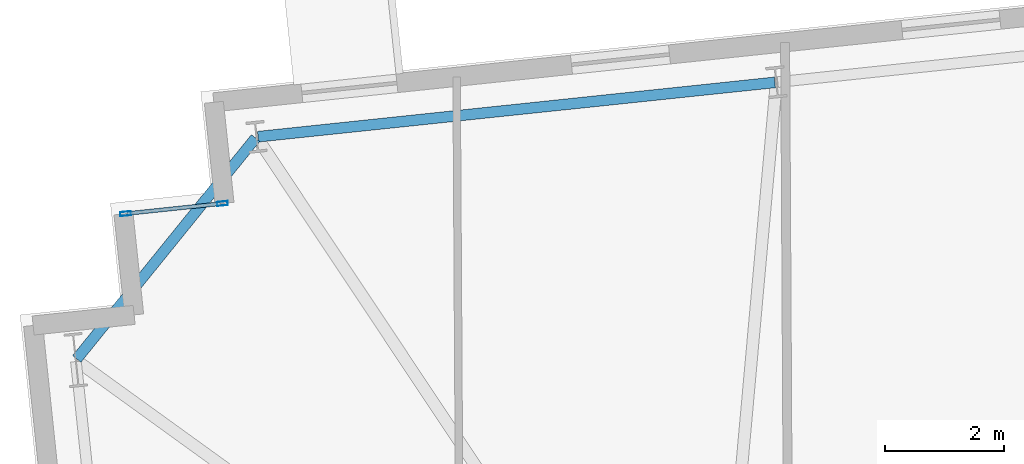
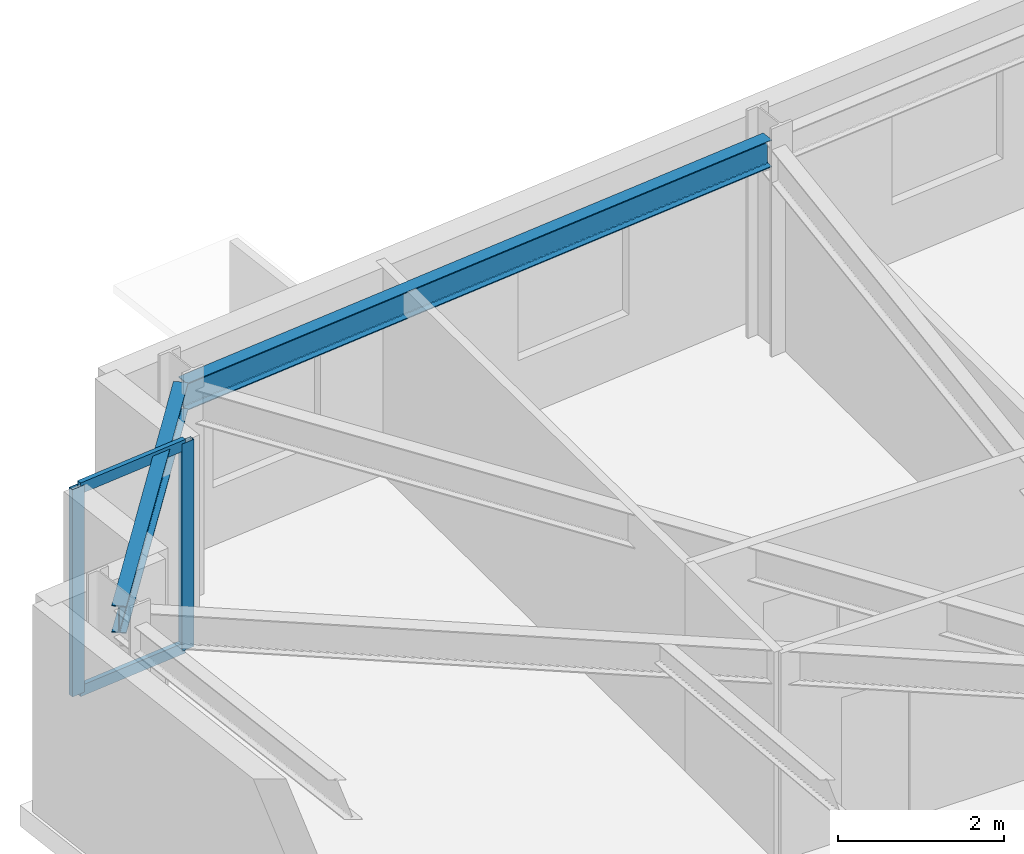
# One storey, part 8 of 18: 4 members, 2 beams, 1 element without a shape of its own.
"""IFC4 building model written with IfcOpenShell, lengths in metres."""

import ifcopenshell
import ifcopenshell.guid

model = None  # the IFC model being written
_history = None  # IfcOwnerHistory: only IFC2X3 demands one
_inside = {}  # id of a spatial element -> (the spatial element, [elements in it])
_under = {}  # id of a project, library or spatial element -> (it, [spatial elements below it])
_declared = {}  # id of a project -> (the project, [libraries it declares])
_typed = {}  # id of a type object -> (the type object, [elements of that type])
_made_of = {}  # id of a material, layer set ... -> (it, [elements and type objects made of it])


def new_model(schema):
    """Start an empty IFC model of exactly this schema.

    Asked for "IFC4X3", IfcOpenShell would pick the latest addendum, in which some entities
    have other attributes; the version numbers below select the first issue.
    IFC2X3 requires an IfcOwnerHistory on every rooted entity: one is made here for all.
    """
    global model, _history
    if schema == "IFC4X3":
        model = ifcopenshell.file(schema_version=(4, 3, 0, 0))
    else:
        model = ifcopenshell.file(schema=schema)
    _inside.clear()
    _under.clear()
    _declared.clear()
    _typed.clear()
    _made_of.clear()
    _history = None
    if model.schema == "IFC2X3":
        org = make("IfcOrganization", Name="unknown")
        user = make(
            "IfcPersonAndOrganization",
            ThePerson=make("IfcPerson", FamilyName="unknown"),
            TheOrganization=org,
        )
        app = make(
            "IfcApplication",
            ApplicationDeveloper=org,
            Version="unknown",
            ApplicationFullName="unknown",
            ApplicationIdentifier="unknown",
        )
        _history = make(
            "IfcOwnerHistory",
            OwningUser=user,
            OwningApplication=app,
            ChangeAction="ADDED",
            CreationDate=0,
        )
    return model


def make(cls, **values):
    """One entity of the class cls with the attributes given. An attribute that is None is left unset."""
    return model.create_entity(
        cls, **{name: value for name, value in values.items() if value is not None}
    )


def rooted(cls, **values):
    """An entity with a GlobalId (a new one), such as an element, a storey or a relation."""
    return make(cls, GlobalId=ifcopenshell.guid.new(), OwnerHistory=_history, **values)


def si_unit(unit_type, name, prefix=None):
    """IfcSIUnit, for example si_unit("LENGTHUNIT", "METRE", prefix="MILLI")."""
    return make("IfcSIUnit", UnitType=unit_type, Prefix=prefix, Name=name)


def assignment(units):
    """IfcUnitAssignment: the units of a project."""
    return None if units is None else make("IfcUnitAssignment", Units=units)


def point(xyz):
    """IfcCartesianPoint."""
    return None if xyz is None else make("IfcCartesianPoint", Coordinates=xyz)


def direction(xyz):
    """IfcDirection."""
    return None if xyz is None else make("IfcDirection", DirectionRatios=xyz)


def frame(location, z_axis=None, x_axis=None):
    """IfcAxis2Placement3D, a coordinate frame: its origin and axes. An axis left out is left unset."""
    return make(
        "IfcAxis2Placement3D",
        Location=point(location),
        Axis=direction(z_axis),
        RefDirection=direction(x_axis),
    )


def frame_2d(location, x_axis=None):
    """IfcAxis2Placement2D, a coordinate frame in the plane: its origin and x axis."""
    return make(
        "IfcAxis2Placement2D", Location=point(location), RefDirection=direction(x_axis)
    )


def origin():
    """The frame at (0, 0, 0) with its axes left unset."""
    return frame((0.0, 0.0, 0.0))


def origin_2d():
    """The frame at (0, 0) in the plane with its x axis left unset."""
    return frame_2d((0.0, 0.0))


def place(relative_to, where):
    """IfcLocalPlacement: puts the frame where relative to a parent placement (None: the world)."""
    return make(
        "IfcLocalPlacement", PlacementRelTo=relative_to, RelativePlacement=where
    )


def context(
    kind, dimensions, precision=None, world=None, true_north=None, identifier=None
):
    """IfcGeometricRepresentationContext, for example the 3D "Model" context."""
    return make(
        "IfcGeometricRepresentationContext",
        ContextIdentifier=identifier,
        ContextType=kind,
        CoordinateSpaceDimension=dimensions,
        Precision=precision,
        WorldCoordinateSystem=world,
        TrueNorth=true_north,
    )


def subcontext(parent, identifier, kind, view, scale=None):
    """IfcGeometricRepresentationSubContext, for example "Body" below "Model"."""
    return make(
        "IfcGeometricRepresentationSubContext",
        ContextIdentifier=identifier,
        ContextType=kind,
        ParentContext=parent,
        TargetScale=scale,
        TargetView=view,
    )


def project(units=None, contexts=None):
    """IfcProject with its units and contexts."""
    return rooted(
        "IfcProject",
        Name="project",
        RepresentationContexts=contexts,
        UnitsInContext=assignment(units),
    )


def spatial(cls, under=None, at=None, **own):
    """A site, building, storey or space (cls), placed at a placement, below another one or the project."""
    s = rooted(cls, ObjectPlacement=at, **own)
    if under is not None:
        _under.setdefault(under.id(), (under, []))[1].append(s)
    return s


def profile(cls, at=None, kind="AREA", **sizes):
    """A parametric profile (cls). Its sizes go by their IFC names, for example OverallWidth=200.0."""
    return make(cls, ProfileType=kind, Position=at, **sizes)


def hollow_rectangle(**sizes):
    """IfcRectangleHollowProfileDef."""
    return profile("IfcRectangleHollowProfileDef", **sizes)


def i_section(**sizes):
    """IfcIShapeProfileDef."""
    return profile("IfcIShapeProfileDef", **sizes)


def extrude(swept, where, along, depth):
    """IfcExtrudedAreaSolid: the profile swept, set in the frame where, extruded along a direction by depth."""
    return make(
        "IfcExtrudedAreaSolid",
        SweptArea=swept,
        Position=where,
        ExtrudedDirection=direction(along),
        Depth=depth,
    )


def shape(context_of_items, identifier, shape_type, items):
    """IfcShapeRepresentation: the items that make up one representation, for example the "Body"."""
    return make(
        "IfcShapeRepresentation",
        ContextOfItems=context_of_items,
        RepresentationIdentifier=identifier,
        RepresentationType=shape_type,
        Items=items,
    )


def material(Name=None, Category=None):
    """IfcMaterial."""
    return make("IfcMaterial", Name=Name, Category=Category)


def layer(
    of_material, thickness, ventilated=None, Name=None, Category=None, Priority=None
):
    """IfcMaterialLayer: one layer of a wall or slab, of a material (None: an air gap)."""
    return make(
        "IfcMaterialLayer",
        Material=of_material,
        LayerThickness=thickness,
        IsVentilated=ventilated,
        Name=Name,
        Category=Category,
        Priority=Priority,
    )


def layer_set(layers, Name=None):
    """IfcMaterialLayerSet."""
    return make("IfcMaterialLayerSet", MaterialLayers=layers, LayerSetName=Name)


def material_profile(
    of_material, cross_section, Name=None, Category=None, Priority=None
):
    """IfcMaterialProfile: a cross section and its material."""
    return make(
        "IfcMaterialProfile",
        Name=Name,
        Material=of_material,
        Profile=cross_section,
        Priority=Priority,
        Category=Category,
    )


def profile_set(profiles, Name=None, composite=None):
    """IfcMaterialProfileSet."""
    return make(
        "IfcMaterialProfileSet",
        Name=Name,
        MaterialProfiles=profiles,
        CompositeProfile=composite,
    )


def made_of(thing, what):
    """Note that an element or type object is made of a material, layer set ...; save() writes the relation."""
    if what is not None:
        _made_of.setdefault(what.id(), (what, []))[1].append(thing)
    return thing


def type_object(cls, material=None, **own):
    """A type object (cls), such as IfcWallType, which elements share."""
    return made_of(rooted(cls, **own), material)


def element(
    cls,
    number,
    at=None,
    inside=None,
    cuts=None,
    type_object=None,
    material=None,
    context=None,
    identifier="Body",
    shape_type=None,
    held_by="IfcProductDefinitionShape",
    body=None,
    shapes=None,
    **own,
):
    """One element of the class cls, such as IfcWall. Its Tag is "e" and its number.

    at: its placement. inside: the storey or other place that contains it. cuts: it is an
    opening in that element (IfcRelVoidsElement). A single representation is given by context,
    identifier, shape_type and body (its items); several are given by shapes. held_by: the class
    of the entity that holds the representations. save() writes the other relations.
    """
    e = rooted(cls, Tag="e%d" % number, ObjectPlacement=at, **own)
    if body is not None:
        shapes = [shape(context, identifier, shape_type, body)]
    if shapes is not None:
        e.Representation = make(held_by, Representations=shapes)
    if inside is not None:
        _inside.setdefault(inside.id(), (inside, []))[1].append(e)
    if cuts is not None:
        rooted(
            "IfcRelVoidsElement", RelatingBuildingElement=cuts, RelatedOpeningElement=e
        )
    if type_object is not None:
        _typed.setdefault(type_object.id(), (type_object, []))[1].append(e)
    return made_of(e, material)


def aggregate(whole, parts):
    """IfcRelAggregates: a whole, such as a stair, and the parts it consists of."""
    return rooted("IfcRelAggregates", RelatingObject=whole, RelatedObjects=parts)


def save(model, path):
    """Write the relations noted so far, then the file.

    IfcRelAggregates (storeys below a building ...), IfcRelContainedInSpatialStructure (elements
    in a storey), IfcRelDefinesByType, IfcRelAssociatesMaterial and IfcRelDeclares: one each for
    every whole, place, type object, material and project.
    """
    for whole, parts in _under.values():
        aggregate(whole, parts)
    for where, things in _inside.values():
        rooted(
            "IfcRelContainedInSpatialStructure",
            RelatedElements=things,
            RelatingStructure=where,
        )
    for kind, things in _typed.values():
        rooted("IfcRelDefinesByType", RelatedObjects=things, RelatingType=kind)
    for what, things in _made_of.values():
        rooted("IfcRelAssociatesMaterial", RelatedObjects=things, RelatingMaterial=what)
    for by, libraries in _declared.values():
        rooted("IfcRelDeclares", RelatingContext=by, RelatedDefinitions=libraries)
    model.write(path)


model = new_model("IFC4")

# Units and contexts
model_context = context("Model", 3, precision=1e-05, world=origin(), true_north=direction((0.0, 1.0)))
body_context = subcontext(model_context, "Body", "Model", "MODEL_VIEW")
ifc_project = project(units=[si_unit("LENGTHUNIT", "METRE"), si_unit("AREAUNIT", "SQUARE_METRE"), si_unit("VOLUMEUNIT", "CUBIC_METRE"), si_unit("PLANEANGLEUNIT", "RADIAN"), si_unit("MASSUNIT", "GRAM", prefix="KILO")], contexts=[model_context])

# Site, building, storey
site_placement = place(None, origin())
site = spatial("IfcSite", under=ifc_project, at=site_placement, CompositionType="ELEMENT")
building_placement = place(site_placement, origin())
building = spatial("IfcBuilding", under=site, at=building_placement, Name="Qobustan Lattice House", CompositionType="ELEMENT")
storey_placement = place(building_placement, frame((0.0, 0.0, 92.39990234375)))
storey = spatial("IfcBuildingStorey", under=building, at=storey_placement, Name="L25", CompositionType="ELEMENT", Elevation=92.39990234375)

# Beams
ifc_material_1 = material(Name="Steel S355", Category="steel")
ifc_material_profile_1 = material_profile(ifc_material_1, i_section(OverallWidth=0.179931640625, OverallDepth=0.39990234375, WebThickness=0.008544921875, FlangeThickness=0.013427734375, FilletRadius=0.02099609375, at=origin_2d()), Name="IPE400")
ifc_profile_set_1 = profile_set([ifc_material_profile_1], Name="Steel S355")
beam_type = type_object("IfcBeamType", Name="BM-SPD-IPE400", PredefinedType="SPANDREL", material=ifc_profile_set_1)
beam_1_placement = place(storey_placement, frame((-17.7158203125, 17.919189453125, 2.84521484375), z_axis=(-0.994521279781, -0.10453432002, 0.0), x_axis=(0.10453432002, -0.994521279781, 0.0)))
element("IfcBeam", 1, at=beam_1_placement, inside=storey, type_object=beam_type, Name="L25 perimeter spandrel N6-N7", PredefinedType="SPANDREL", context=body_context, shape_type="SweptSolid", body=[
    extrude(i_section(OverallWidth=0.179931640625, OverallDepth=0.39990234375, WebThickness=0.008544921875, FlangeThickness=0.013427734375, FilletRadius=0.02099609375, at=origin_2d()), origin(), (0.0, 0.0, 1.0), 8.69970703125),
])
beam_2_placement = place(storey_placement, frame((-26.40869140625, 16.98779296875, 2.84521484375), z_axis=(-0.629326627121, -0.777140911545, 0.0), x_axis=(0.777140911545, -0.629326627121, 0.0)))
element("IfcBeam", 2, at=beam_2_placement, inside=storey, type_object=beam_type, Name="L25 perimeter spandrel N7-W1", PredefinedType="SPANDREL", context=body_context, shape_type="SweptSolid", body=[
    extrude(i_section(OverallWidth=0.179931640625, OverallDepth=0.39990234375, WebThickness=0.008544921875, FlangeThickness=0.013427734375, FilletRadius=0.02099609375, at=origin_2d()), origin(), (0.0, 0.0, 1.0), 4.758544921875),
])

# Curtain wall, members
ifc_material_2 = material(Name="Anodised aluminium and low-E glazing", Category="aluminium")
ifc_layer = layer(ifc_material_2, 0.219970703125)
ifc_layer_set = layer_set([ifc_layer], Name="Anodised aluminium and low-E glazing")
curtain_wall_type = type_object("IfcCurtainWallType", Name="CW-FAC-01", PredefinedType="USERDEFINED", material=ifc_layer_set)
curtain_wall_placement = place(storey_placement, origin())
curtain_wall = element("IfcCurtainWall", 3, at=curtain_wall_placement, inside=storey, type_object=curtain_wall_type, Name="L25 serrated corner faceted glazing 8", ObjectType="CURTAIN WALL", PredefinedType="USERDEFINED")
ifc_material_3 = material(Name="Anodised aluminium EN AW-6063 T6", Category="aluminium")
ifc_material_profile_2 = material_profile(ifc_material_3, hollow_rectangle(XDim=0.070068359375, YDim=0.179931640625, WallThickness=0.00439453125, at=origin_2d()), Name="CWM-180x70")
ifc_profile_set_2 = profile_set([ifc_material_profile_2], Name="Anodised aluminium EN AW-6063 T6")
member_type_1 = type_object("IfcMemberType", Name="CWM-STD-180", PredefinedType="MULLION", material=ifc_profile_set_2)
member_1_placement = place(storey_placement, frame((-28.58544921875, 15.720947265625, 0.0), z_axis=(0.0, 0.0, 1.0), x_axis=(-0.104528620025, 0.994521878892, 0.0)))
member_1 = element("IfcMember", 4, at=member_1_placement, type_object=member_type_1, Name="CW-F1 mullion 1", PredefinedType="MULLION", context=body_context, shape_type="SweptSolid", body=[
    extrude(hollow_rectangle(XDim=0.070068359375, YDim=0.179931640625, WallThickness=0.00439453125, at=origin_2d()), origin(), (0.0, 0.0, 1.0), 3.045166015625),
])
member_2_placement = place(storey_placement, frame((-26.96435546875, 15.891357421875, 0.0), z_axis=(0.0, 0.0, 1.0), x_axis=(-0.104528620025, 0.994521878892, 0.0)))
member_2 = element("IfcMember", 5, at=member_2_placement, type_object=member_type_1, Name="CW-F1 mullion 2", PredefinedType="MULLION", context=body_context, shape_type="SweptSolid", body=[
    extrude(hollow_rectangle(XDim=0.070068359375, YDim=0.179931640625, WallThickness=0.00439453125, at=origin_2d()), origin(), (0.0, 0.0, 1.0), 3.045166015625),
])
ifc_material_4 = material(Name="Anodised aluminium EN AW-6063 T6", Category="aluminium")
ifc_material_profile_3 = material_profile(ifc_material_4, hollow_rectangle(XDim=0.06494140625, YDim=0.159912109375, WallThickness=0.00390625, at=origin_2d()), Name="CWT-160x65")
ifc_profile_set_3 = profile_set([ifc_material_profile_3], Name="Anodised aluminium EN AW-6063 T6")
member_type_2 = type_object("IfcMemberType", Name="CWT-HOR-160", PredefinedType="USERDEFINED", material=ifc_profile_set_3)
member_3_placement = place(storey_placement, frame((-28.55078125, 15.724609375, 0.03271484375), z_axis=(0.994520877159, 0.104538150424, 0.0), x_axis=(-0.104538150424, 0.994520877159, 0.0)))
member_3 = element("IfcMember", 6, at=member_3_placement, type_object=member_type_2, Name="CW-F1 transom 1.1", ObjectType="TRANSOM", PredefinedType="USERDEFINED", context=body_context, shape_type="SweptSolid", body=[
    extrude(hollow_rectangle(XDim=0.06494140625, YDim=0.159912109375, WallThickness=0.00390625, at=origin_2d()), origin(), (0.0, 0.0, 1.0), 1.56005859375),
])
member_4_placement = place(storey_placement, frame((-28.55078125, 15.724609375, 3.0126953125), z_axis=(0.994520877159, 0.104538150424, 0.0), x_axis=(-0.104538150424, 0.994520877159, 0.0)))
member_4 = element("IfcMember", 7, at=member_4_placement, type_object=member_type_2, Name="CW-F1 transom 1.2", ObjectType="TRANSOM", PredefinedType="USERDEFINED", context=body_context, shape_type="SweptSolid", body=[
    extrude(hollow_rectangle(XDim=0.06494140625, YDim=0.159912109375, WallThickness=0.00390625, at=origin_2d()), origin(), (0.0, 0.0, 1.0), 1.56005859375),
])
aggregate(curtain_wall, [member_1, member_2, member_3, member_4])

save(model, "model.ifc")
